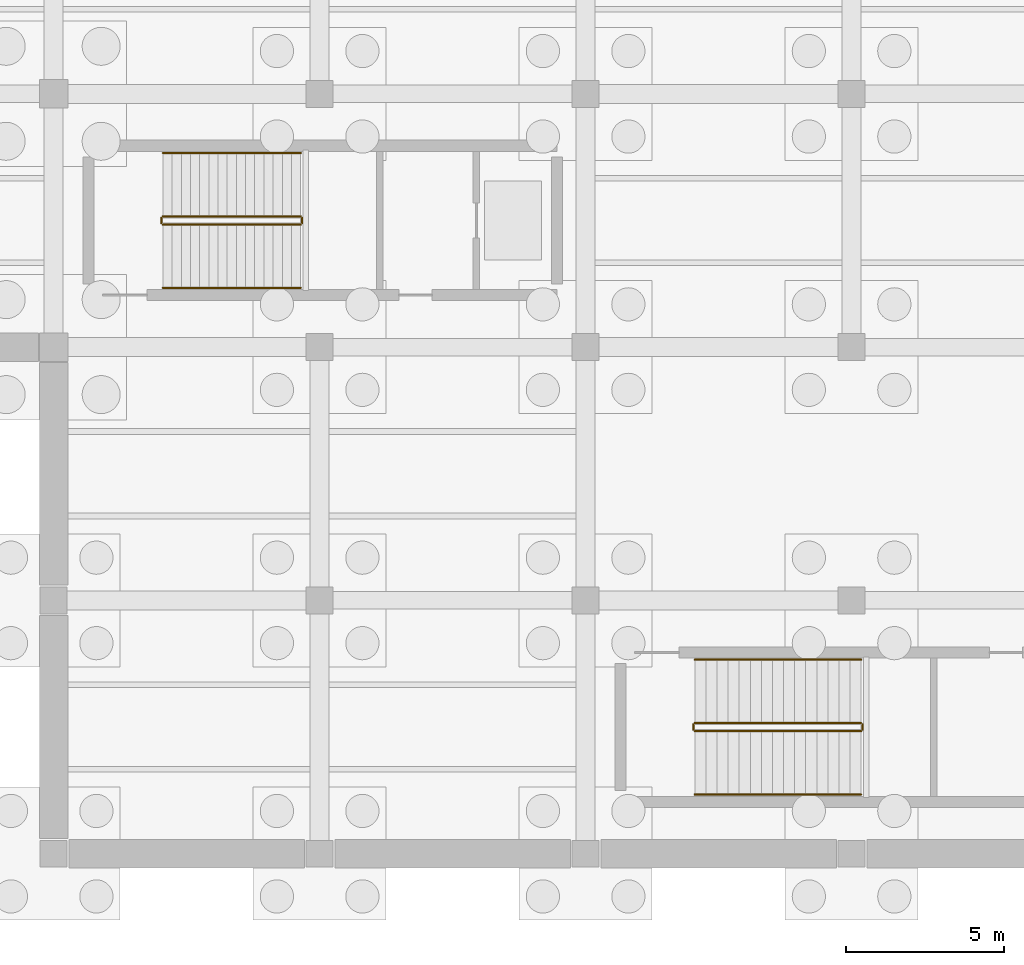
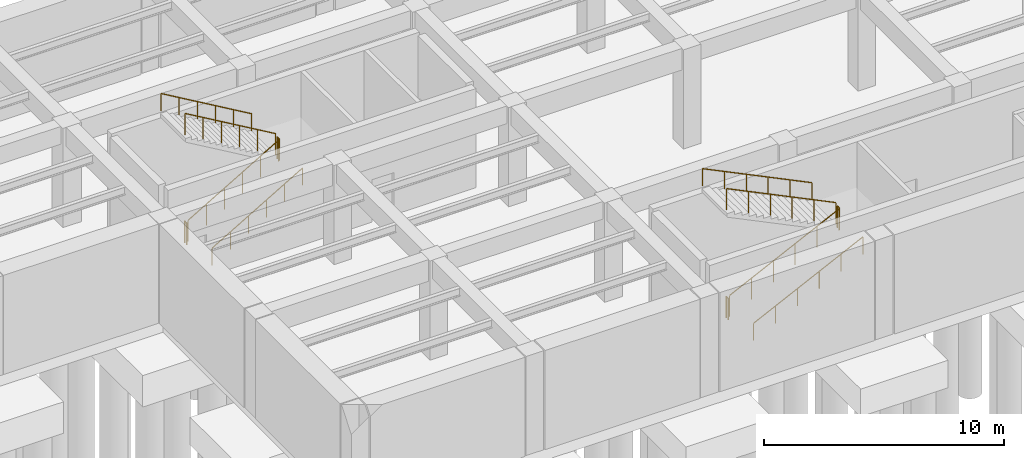
# One storey, part 9 of 12: 12 railings.
"""IFC4 building model written with IfcOpenShell, lengths in metres."""

import ifcopenshell
import ifcopenshell.guid

model = None  # the IFC model being written
_history = None  # IfcOwnerHistory: only IFC2X3 demands one
_inside = {}  # id of a spatial element -> (the spatial element, [elements in it])
_under = {}  # id of a project, library or spatial element -> (it, [spatial elements below it])
_declared = {}  # id of a project -> (the project, [libraries it declares])
_typed = {}  # id of a type object -> (the type object, [elements of that type])
_made_of = {}  # id of a material, layer set ... -> (it, [elements and type objects made of it])


def new_model(schema):
    """Start an empty IFC model of exactly this schema.

    Asked for "IFC4X3", IfcOpenShell would pick the latest addendum, in which some entities
    have other attributes; the version numbers below select the first issue.
    IFC2X3 requires an IfcOwnerHistory on every rooted entity: one is made here for all.
    """
    global model, _history
    if schema == "IFC4X3":
        model = ifcopenshell.file(schema_version=(4, 3, 0, 0))
    else:
        model = ifcopenshell.file(schema=schema)
    _inside.clear()
    _under.clear()
    _declared.clear()
    _typed.clear()
    _made_of.clear()
    _history = None
    if model.schema == "IFC2X3":
        org = make("IfcOrganization", Name="unknown")
        user = make(
            "IfcPersonAndOrganization",
            ThePerson=make("IfcPerson", FamilyName="unknown"),
            TheOrganization=org,
        )
        app = make(
            "IfcApplication",
            ApplicationDeveloper=org,
            Version="unknown",
            ApplicationFullName="unknown",
            ApplicationIdentifier="unknown",
        )
        _history = make(
            "IfcOwnerHistory",
            OwningUser=user,
            OwningApplication=app,
            ChangeAction="ADDED",
            CreationDate=0,
        )
    return model


def make(cls, **values):
    """One entity of the class cls with the attributes given. An attribute that is None is left unset."""
    return model.create_entity(
        cls, **{name: value for name, value in values.items() if value is not None}
    )


def rooted(cls, **values):
    """An entity with a GlobalId (a new one), such as an element, a storey or a relation."""
    return make(cls, GlobalId=ifcopenshell.guid.new(), OwnerHistory=_history, **values)


def si_unit(unit_type, name, prefix=None):
    """IfcSIUnit, for example si_unit("LENGTHUNIT", "METRE", prefix="MILLI")."""
    return make("IfcSIUnit", UnitType=unit_type, Prefix=prefix, Name=name)


def assignment(units):
    """IfcUnitAssignment: the units of a project."""
    return None if units is None else make("IfcUnitAssignment", Units=units)


def point(xyz):
    """IfcCartesianPoint."""
    return None if xyz is None else make("IfcCartesianPoint", Coordinates=xyz)


def direction(xyz):
    """IfcDirection."""
    return None if xyz is None else make("IfcDirection", DirectionRatios=xyz)


def frame(location, z_axis=None, x_axis=None):
    """IfcAxis2Placement3D, a coordinate frame: its origin and axes. An axis left out is left unset."""
    return make(
        "IfcAxis2Placement3D",
        Location=point(location),
        Axis=direction(z_axis),
        RefDirection=direction(x_axis),
    )


def frame_2d(location, x_axis=None):
    """IfcAxis2Placement2D, a coordinate frame in the plane: its origin and x axis."""
    return make(
        "IfcAxis2Placement2D", Location=point(location), RefDirection=direction(x_axis)
    )


def origin():
    """The frame at (0, 0, 0) with its axes left unset."""
    return frame((0.0, 0.0, 0.0))


def origin_2d():
    """The frame at (0, 0) in the plane with its x axis left unset."""
    return frame_2d((0.0, 0.0))


def place(relative_to, where):
    """IfcLocalPlacement: puts the frame where relative to a parent placement (None: the world)."""
    return make(
        "IfcLocalPlacement", PlacementRelTo=relative_to, RelativePlacement=where
    )


def context(
    kind, dimensions, precision=None, world=None, true_north=None, identifier=None
):
    """IfcGeometricRepresentationContext, for example the 3D "Model" context."""
    return make(
        "IfcGeometricRepresentationContext",
        ContextIdentifier=identifier,
        ContextType=kind,
        CoordinateSpaceDimension=dimensions,
        Precision=precision,
        WorldCoordinateSystem=world,
        TrueNorth=true_north,
    )


def subcontext(parent, identifier, kind, view, scale=None):
    """IfcGeometricRepresentationSubContext, for example "Body" below "Model"."""
    return make(
        "IfcGeometricRepresentationSubContext",
        ContextIdentifier=identifier,
        ContextType=kind,
        ParentContext=parent,
        TargetScale=scale,
        TargetView=view,
    )


def project(units=None, contexts=None):
    """IfcProject with its units and contexts."""
    return rooted(
        "IfcProject",
        Name="project",
        RepresentationContexts=contexts,
        UnitsInContext=assignment(units),
    )


def spatial(cls, under=None, at=None, **own):
    """A site, building, storey or space (cls), placed at a placement, below another one or the project."""
    s = rooted(cls, ObjectPlacement=at, **own)
    if under is not None:
        _under.setdefault(under.id(), (under, []))[1].append(s)
    return s


def profile(cls, at=None, kind="AREA", **sizes):
    """A parametric profile (cls). Its sizes go by their IFC names, for example OverallWidth=200.0."""
    return make(cls, ProfileType=kind, Position=at, **sizes)


def circle(**sizes):
    """IfcCircleProfileDef."""
    return profile("IfcCircleProfileDef", **sizes)


def extrude(swept, where, along, depth):
    """IfcExtrudedAreaSolid: the profile swept, set in the frame where, extruded along a direction by depth."""
    return make(
        "IfcExtrudedAreaSolid",
        SweptArea=swept,
        Position=where,
        ExtrudedDirection=direction(along),
        Depth=depth,
    )


def shape(context_of_items, identifier, shape_type, items):
    """IfcShapeRepresentation: the items that make up one representation, for example the "Body"."""
    return make(
        "IfcShapeRepresentation",
        ContextOfItems=context_of_items,
        RepresentationIdentifier=identifier,
        RepresentationType=shape_type,
        Items=items,
    )


def material(Name=None, Category=None):
    """IfcMaterial."""
    return make("IfcMaterial", Name=Name, Category=Category)


def made_of(thing, what):
    """Note that an element or type object is made of a material, layer set ...; save() writes the relation."""
    if what is not None:
        _made_of.setdefault(what.id(), (what, []))[1].append(thing)
    return thing


def type_object(cls, material=None, **own):
    """A type object (cls), such as IfcWallType, which elements share."""
    return made_of(rooted(cls, **own), material)


def element(
    cls,
    number,
    at=None,
    inside=None,
    cuts=None,
    type_object=None,
    material=None,
    context=None,
    identifier="Body",
    shape_type=None,
    held_by="IfcProductDefinitionShape",
    body=None,
    shapes=None,
    **own,
):
    """One element of the class cls, such as IfcWall. Its Tag is "e" and its number.

    at: its placement. inside: the storey or other place that contains it. cuts: it is an
    opening in that element (IfcRelVoidsElement). A single representation is given by context,
    identifier, shape_type and body (its items); several are given by shapes. held_by: the class
    of the entity that holds the representations. save() writes the other relations.
    """
    e = rooted(cls, Tag="e%d" % number, ObjectPlacement=at, **own)
    if body is not None:
        shapes = [shape(context, identifier, shape_type, body)]
    if shapes is not None:
        e.Representation = make(held_by, Representations=shapes)
    if inside is not None:
        _inside.setdefault(inside.id(), (inside, []))[1].append(e)
    if cuts is not None:
        rooted(
            "IfcRelVoidsElement", RelatingBuildingElement=cuts, RelatedOpeningElement=e
        )
    if type_object is not None:
        _typed.setdefault(type_object.id(), (type_object, []))[1].append(e)
    return made_of(e, material)


def aggregate(whole, parts):
    """IfcRelAggregates: a whole, such as a stair, and the parts it consists of."""
    return rooted("IfcRelAggregates", RelatingObject=whole, RelatedObjects=parts)


def save(model, path):
    """Write the relations noted so far, then the file.

    IfcRelAggregates (storeys below a building ...), IfcRelContainedInSpatialStructure (elements
    in a storey), IfcRelDefinesByType, IfcRelAssociatesMaterial and IfcRelDeclares: one each for
    every whole, place, type object, material and project.
    """
    for whole, parts in _under.values():
        aggregate(whole, parts)
    for where, things in _inside.values():
        rooted(
            "IfcRelContainedInSpatialStructure",
            RelatedElements=things,
            RelatingStructure=where,
        )
    for kind, things in _typed.values():
        rooted("IfcRelDefinesByType", RelatedObjects=things, RelatingType=kind)
    for what, things in _made_of.values():
        rooted("IfcRelAssociatesMaterial", RelatedObjects=things, RelatingMaterial=what)
    for by, libraries in _declared.values():
        rooted("IfcRelDeclares", RelatingContext=by, RelatedDefinitions=libraries)
    model.write(path)


model = new_model("IFC4")

# Units and contexts
model_context = context("Model", 3, precision=1e-05, world=origin(), true_north=direction((0.0, 1.0)))
body_context = subcontext(model_context, "Body", "Model", "MODEL_VIEW")
ifc_project = project(units=[si_unit("LENGTHUNIT", "METRE"), si_unit("AREAUNIT", "SQUARE_METRE"), si_unit("VOLUMEUNIT", "CUBIC_METRE"), si_unit("PLANEANGLEUNIT", "RADIAN"), si_unit("MASSUNIT", "GRAM", prefix="KILO")], contexts=[model_context])

# Site, building, storey
site_placement = place(None, origin())
site = spatial("IfcSite", under=ifc_project, at=site_placement, CompositionType="ELEMENT")
building_placement = place(site_placement, origin())
building = spatial("IfcBuilding", under=site, at=building_placement, Name="Kranzveld Transit Interchange", CompositionType="ELEMENT")
storey_placement = place(building_placement, frame((0.0, 0.0, -10.8798828125)))
storey = spatial("IfcBuildingStorey", under=building, at=storey_placement, Name="B2", CompositionType="ELEMENT", Elevation=-10.8798828125)

# Railings
ifc_material_1 = material(Name="Steel S355JR", Category="steel")
railing_type_1 = type_object("IfcRailingType", Name="Stair & Ramp Handrail Steel 900", PredefinedType="HANDRAIL", material=ifc_material_1)
railing_1_placement = place(storey_placement, frame((37.050048828125, 49.8701171875, 0.169921875)))
element("IfcRailing", 1, at=railing_1_placement, inside=storey, type_object=railing_type_1, Name="B2 ST-M1 stair handrail 1", PredefinedType="HANDRAIL", context=body_context, shape_type="SweptSolid", body=[
    extrude(circle(Radius=0.02392578125, at=origin_2d()), frame((0.0, 0.0, 0.8759765625), z_axis=(0.862686314962, 0.0, 0.505739381477), x_axis=(0.0, 1.0, 0.0)), (0.0, 0.0, 1.0), 5.042236328125),
    extrude(circle(Radius=0.02099609375, at=origin_2d()), origin(), (0.0, 0.0, 1.0), 0.849853515625),
    extrude(circle(Radius=0.02099609375, at=origin_2d()), frame((0.869873046875, 0.0, 0.510009765625)), (0.0, 0.0, 1.0), 0.849853515625),
    extrude(circle(Radius=0.02099609375, at=origin_2d()), frame((1.739990234375, 0.0, 1.02001953125)), (0.0, 0.0, 1.0), 0.849853515625),
    extrude(circle(Radius=0.02099609375, at=origin_2d()), frame((2.60986328125, 0.0, 1.530029296875)), (0.0, 0.0, 1.0), 0.849853515625),
    extrude(circle(Radius=0.02099609375, at=origin_2d()), frame((3.47998046875, 0.0, 2.0400390625)), (0.0, 0.0, 1.0), 0.849853515625),
    extrude(circle(Radius=0.02099609375, at=origin_2d()), frame((4.349853515625, 0.0, 2.550048828125)), (0.0, 0.0, 1.0), 0.849853515625),
])
railing_2_placement = place(storey_placement, frame((41.39990234375, 54.1298828125, 2.889892578125)))
element("IfcRailing", 2, at=railing_2_placement, inside=storey, type_object=railing_type_1, Name="B2 ST-M1 stair handrail 2", PredefinedType="HANDRAIL", context=body_context, shape_type="SweptSolid", body=[
    extrude(circle(Radius=0.02392578125, at=origin_2d()), frame((0.0, 0.0, 0.8759765625), z_axis=(-0.862686314962, 0.0, 0.505739381477), x_axis=(0.0, -1.0, 0.0)), (0.0, 0.0, 1.0), 5.042236328125),
    extrude(circle(Radius=0.02099609375, at=origin_2d()), origin(), (0.0, 0.0, 1.0), 0.849853515625),
    extrude(circle(Radius=0.02099609375, at=origin_2d()), frame((-0.869873046875, 0.0, 0.510009765625)), (0.0, 0.0, 1.0), 0.849853515625),
    extrude(circle(Radius=0.02099609375, at=origin_2d()), frame((-1.739990234375, 0.0, 1.02001953125)), (0.0, 0.0, 1.0), 0.849853515625),
    extrude(circle(Radius=0.02099609375, at=origin_2d()), frame((-2.60986328125, 0.0, 1.530029296875)), (0.0, 0.0, 1.0), 0.849853515625),
    extrude(circle(Radius=0.02099609375, at=origin_2d()), frame((-3.47998046875, 0.0, 2.0400390625)), (0.0, 0.0, 1.0), 0.849853515625),
    extrude(circle(Radius=0.02099609375, at=origin_2d()), frame((-4.349853515625, 0.0, 2.550048828125)), (0.0, 0.0, 1.0), 0.849853515625),
])
railing_3_placement = place(storey_placement, frame((53.85009765625, 33.8701171875, 0.169921875)))
element("IfcRailing", 3, at=railing_3_placement, inside=storey, type_object=railing_type_1, Name="B2 ST-M2 stair handrail 1", PredefinedType="HANDRAIL", context=body_context, shape_type="SweptSolid", body=[
    extrude(circle(Radius=0.02392578125, at=origin_2d()), frame((0.0, 0.0, 0.8759765625), z_axis=(0.899504870751, 0.0, 0.436910731724), x_axis=(0.0, 1.0, 0.0)), (0.0, 0.0, 1.0), 5.83642578125),
    extrude(circle(Radius=0.02099609375, at=origin_2d()), origin(), (0.0, 0.0, 1.0), 0.849853515625),
    extrude(circle(Radius=0.02099609375, at=origin_2d()), frame((1.050048828125, 0.0, 0.510009765625)), (0.0, 0.0, 1.0), 0.849853515625),
    extrude(circle(Radius=0.02099609375, at=origin_2d()), frame((2.10009765625, 0.0, 1.02001953125)), (0.0, 0.0, 1.0), 0.849853515625),
    extrude(circle(Radius=0.02099609375, at=origin_2d()), frame((3.14990234375, 0.0, 1.530029296875)), (0.0, 0.0, 1.0), 0.849853515625),
    extrude(circle(Radius=0.02099609375, at=origin_2d()), frame((4.199951171875, 0.0, 2.0400390625)), (0.0, 0.0, 1.0), 0.849853515625),
    extrude(circle(Radius=0.02099609375, at=origin_2d()), frame((5.25, 0.0, 2.550048828125)), (0.0, 0.0, 1.0), 0.849853515625),
])
railing_4_placement = place(storey_placement, frame((59.10009765625, 38.1298828125, 2.889892578125)))
element("IfcRailing", 4, at=railing_4_placement, inside=storey, type_object=railing_type_1, Name="B2 ST-M2 stair handrail 2", PredefinedType="HANDRAIL", context=body_context, shape_type="SweptSolid", body=[
    extrude(circle(Radius=0.02392578125, at=origin_2d()), frame((0.0, 0.0, 0.8759765625), z_axis=(-0.899504870751, 0.0, 0.436910731724), x_axis=(0.0, -1.0, 0.0)), (0.0, 0.0, 1.0), 5.83642578125),
    extrude(circle(Radius=0.02099609375, at=origin_2d()), origin(), (0.0, 0.0, 1.0), 0.849853515625),
    extrude(circle(Radius=0.02099609375, at=origin_2d()), frame((-1.050048828125, 0.0, 0.510009765625)), (0.0, 0.0, 1.0), 0.849853515625),
    extrude(circle(Radius=0.02099609375, at=origin_2d()), frame((-2.10009765625, 0.0, 1.02001953125)), (0.0, 0.0, 1.0), 0.849853515625),
    extrude(circle(Radius=0.02099609375, at=origin_2d()), frame((-3.14990234375, 0.0, 1.530029296875)), (0.0, 0.0, 1.0), 0.849853515625),
    extrude(circle(Radius=0.02099609375, at=origin_2d()), frame((-4.199951171875, 0.0, 2.0400390625)), (0.0, 0.0, 1.0), 0.849853515625),
    extrude(circle(Radius=0.02099609375, at=origin_2d()), frame((-5.25, 0.0, 2.550048828125)), (0.0, 0.0, 1.0), 0.849853515625),
])
ifc_material_2 = material(Name="Steel S355JR", Category="steel")
railing_type_2 = type_object("IfcRailingType", Name="Stair Well Guardrail Steel 1100", PredefinedType="GUARDRAIL", material=ifc_material_2)
railing_5_placement = place(storey_placement, frame((37.050048828125, 51.8701171875, 0.169921875)))
element("IfcRailing", 5, at=railing_5_placement, inside=storey, type_object=railing_type_2, Name="B2 ST-M1 stair guard 1", PredefinedType="GUARDRAIL", context=body_context, shape_type="SweptSolid", body=[
    extrude(circle(Radius=0.02392578125, at=origin_2d()), frame((0.0, 0.0, 1.076171875), z_axis=(0.862686314962, 0.0, 0.505739381477), x_axis=(0.0, 1.0, 0.0)), (0.0, 0.0, 1.0), 5.042236328125),
    extrude(circle(Radius=0.02099609375, at=origin_2d()), origin(), (0.0, 0.0, 1.0), 1.050048828125),
    extrude(circle(Radius=0.02099609375, at=origin_2d()), frame((0.869873046875, 0.0, 0.510009765625)), (0.0, 0.0, 1.0), 1.050048828125),
    extrude(circle(Radius=0.02099609375, at=origin_2d()), frame((1.739990234375, 0.0, 1.02001953125)), (0.0, 0.0, 1.0), 1.050048828125),
    extrude(circle(Radius=0.02099609375, at=origin_2d()), frame((2.60986328125, 0.0, 1.530029296875)), (0.0, 0.0, 1.0), 1.050048828125),
    extrude(circle(Radius=0.02099609375, at=origin_2d()), frame((3.47998046875, 0.0, 2.0400390625)), (0.0, 0.0, 1.0), 1.050048828125),
    extrude(circle(Radius=0.02099609375, at=origin_2d()), frame((4.349853515625, 0.0, 2.550048828125)), (0.0, 0.0, 1.0), 1.050048828125),
])
railing_6_placement = place(storey_placement, frame((41.449951171875, 51.919921875, 2.719970703125)))
element("IfcRailing", 6, at=railing_6_placement, inside=storey, type_object=railing_type_2, Name="B2 ST-M1 stair guard 2", PredefinedType="GUARDRAIL", context=body_context, shape_type="SweptSolid", body=[
    extrude(circle(Radius=0.02392578125, at=origin_2d()), frame((0.0, 0.0, 1.076171875), z_axis=(0.0, 1.0, 0.0), x_axis=(-1.0, 0.0, 0.0)), (0.0, 0.0, 1.0), 0.16015625),
    extrude(circle(Radius=0.02099609375, at=origin_2d()), origin(), (0.0, 0.0, 1.0), 1.050048828125),
    extrude(circle(Radius=0.02099609375, at=origin_2d()), frame((0.0, 0.16015625, 0.0)), (0.0, 0.0, 1.0), 1.050048828125),
])
railing_7_placement = place(storey_placement, frame((41.39990234375, 52.1298828125, 2.889892578125)))
element("IfcRailing", 7, at=railing_7_placement, inside=storey, type_object=railing_type_2, Name="B2 ST-M1 stair guard 3", PredefinedType="GUARDRAIL", context=body_context, shape_type="SweptSolid", body=[
    extrude(circle(Radius=0.02392578125, at=origin_2d()), frame((0.0, 0.0, 1.076171875), z_axis=(-0.862686314962, 0.0, 0.505739381477), x_axis=(0.0, -1.0, 0.0)), (0.0, 0.0, 1.0), 5.042236328125),
    extrude(circle(Radius=0.02099609375, at=origin_2d()), origin(), (0.0, 0.0, 1.0), 1.050048828125),
    extrude(circle(Radius=0.02099609375, at=origin_2d()), frame((-0.869873046875, 0.0, 0.510009765625)), (0.0, 0.0, 1.0), 1.050048828125),
    extrude(circle(Radius=0.02099609375, at=origin_2d()), frame((-1.739990234375, 0.0, 1.02001953125)), (0.0, 0.0, 1.0), 1.050048828125),
    extrude(circle(Radius=0.02099609375, at=origin_2d()), frame((-2.60986328125, 0.0, 1.530029296875)), (0.0, 0.0, 1.0), 1.050048828125),
    extrude(circle(Radius=0.02099609375, at=origin_2d()), frame((-3.47998046875, 0.0, 2.0400390625)), (0.0, 0.0, 1.0), 1.050048828125),
    extrude(circle(Radius=0.02099609375, at=origin_2d()), frame((-4.349853515625, 0.0, 2.550048828125)), (0.0, 0.0, 1.0), 1.050048828125),
])
railing_8_placement = place(storey_placement, frame((37.0, 51.919921875, 0.0)))
element("IfcRailing", 8, at=railing_8_placement, inside=storey, type_object=railing_type_2, Name="B2 ST-M1 stair guard 4", PredefinedType="GUARDRAIL", context=body_context, shape_type="SweptSolid", body=[
    extrude(circle(Radius=0.02392578125, at=origin_2d()), frame((0.0, 0.0, 1.076171875), z_axis=(0.0, 1.0, 0.0), x_axis=(-1.0, 0.0, 0.0)), (0.0, 0.0, 1.0), 0.16015625),
    extrude(circle(Radius=0.02099609375, at=origin_2d()), origin(), (0.0, 0.0, 1.0), 1.050048828125),
    extrude(circle(Radius=0.02099609375, at=origin_2d()), frame((0.0, 0.16015625, 0.0)), (0.0, 0.0, 1.0), 1.050048828125),
])
railing_9_placement = place(storey_placement, frame((53.85009765625, 35.8701171875, 0.169921875)))
element("IfcRailing", 9, at=railing_9_placement, inside=storey, type_object=railing_type_2, Name="B2 ST-M2 stair guard 1", PredefinedType="GUARDRAIL", context=body_context, shape_type="SweptSolid", body=[
    extrude(circle(Radius=0.02392578125, at=origin_2d()), frame((0.0, 0.0, 1.076171875), z_axis=(0.899504870751, 0.0, 0.436910731724), x_axis=(0.0, 1.0, 0.0)), (0.0, 0.0, 1.0), 5.83642578125),
    extrude(circle(Radius=0.02099609375, at=origin_2d()), origin(), (0.0, 0.0, 1.0), 1.050048828125),
    extrude(circle(Radius=0.02099609375, at=origin_2d()), frame((1.050048828125, 0.0, 0.510009765625)), (0.0, 0.0, 1.0), 1.050048828125),
    extrude(circle(Radius=0.02099609375, at=origin_2d()), frame((2.10009765625, 0.0, 1.02001953125)), (0.0, 0.0, 1.0), 1.050048828125),
    extrude(circle(Radius=0.02099609375, at=origin_2d()), frame((3.14990234375, 0.0, 1.530029296875)), (0.0, 0.0, 1.0), 1.050048828125),
    extrude(circle(Radius=0.02099609375, at=origin_2d()), frame((4.199951171875, 0.0, 2.0400390625)), (0.0, 0.0, 1.0), 1.050048828125),
    extrude(circle(Radius=0.02099609375, at=origin_2d()), frame((5.25, 0.0, 2.550048828125)), (0.0, 0.0, 1.0), 1.050048828125),
])
railing_10_placement = place(storey_placement, frame((59.14990234375, 35.919921875, 2.719970703125)))
element("IfcRailing", 10, at=railing_10_placement, inside=storey, type_object=railing_type_2, Name="B2 ST-M2 stair guard 2", PredefinedType="GUARDRAIL", context=body_context, shape_type="SweptSolid", body=[
    extrude(circle(Radius=0.02392578125, at=origin_2d()), frame((0.0, 0.0, 1.076171875), z_axis=(0.0, 1.0, 0.0), x_axis=(-1.0, 0.0, 0.0)), (0.0, 0.0, 1.0), 0.16015625),
    extrude(circle(Radius=0.02099609375, at=origin_2d()), origin(), (0.0, 0.0, 1.0), 1.050048828125),
    extrude(circle(Radius=0.02099609375, at=origin_2d()), frame((0.0, 0.16015625, 0.0)), (0.0, 0.0, 1.0), 1.050048828125),
])
railing_11_placement = place(storey_placement, frame((59.10009765625, 36.1298828125, 2.889892578125)))
element("IfcRailing", 11, at=railing_11_placement, inside=storey, type_object=railing_type_2, Name="B2 ST-M2 stair guard 3", PredefinedType="GUARDRAIL", context=body_context, shape_type="SweptSolid", body=[
    extrude(circle(Radius=0.02392578125, at=origin_2d()), frame((0.0, 0.0, 1.076171875), z_axis=(-0.899504870751, 0.0, 0.436910731724), x_axis=(0.0, -1.0, 0.0)), (0.0, 0.0, 1.0), 5.83642578125),
    extrude(circle(Radius=0.02099609375, at=origin_2d()), origin(), (0.0, 0.0, 1.0), 1.050048828125),
    extrude(circle(Radius=0.02099609375, at=origin_2d()), frame((-1.050048828125, 0.0, 0.510009765625)), (0.0, 0.0, 1.0), 1.050048828125),
    extrude(circle(Radius=0.02099609375, at=origin_2d()), frame((-2.10009765625, 0.0, 1.02001953125)), (0.0, 0.0, 1.0), 1.050048828125),
    extrude(circle(Radius=0.02099609375, at=origin_2d()), frame((-3.14990234375, 0.0, 1.530029296875)), (0.0, 0.0, 1.0), 1.050048828125),
    extrude(circle(Radius=0.02099609375, at=origin_2d()), frame((-4.199951171875, 0.0, 2.0400390625)), (0.0, 0.0, 1.0), 1.050048828125),
    extrude(circle(Radius=0.02099609375, at=origin_2d()), frame((-5.25, 0.0, 2.550048828125)), (0.0, 0.0, 1.0), 1.050048828125),
])
railing_12_placement = place(storey_placement, frame((53.800048828125, 35.919921875, 0.0)))
element("IfcRailing", 12, at=railing_12_placement, inside=storey, type_object=railing_type_2, Name="B2 ST-M2 stair guard 4", PredefinedType="GUARDRAIL", context=body_context, shape_type="SweptSolid", body=[
    extrude(circle(Radius=0.02392578125, at=origin_2d()), frame((0.0, 0.0, 1.076171875), z_axis=(0.0, 1.0, 0.0), x_axis=(-1.0, 0.0, 0.0)), (0.0, 0.0, 1.0), 0.16015625),
    extrude(circle(Radius=0.02099609375, at=origin_2d()), origin(), (0.0, 0.0, 1.0), 1.050048828125),
    extrude(circle(Radius=0.02099609375, at=origin_2d()), frame((0.0, 0.16015625, 0.0)), (0.0, 0.0, 1.0), 1.050048828125),
])

save(model, "model.ifc")
